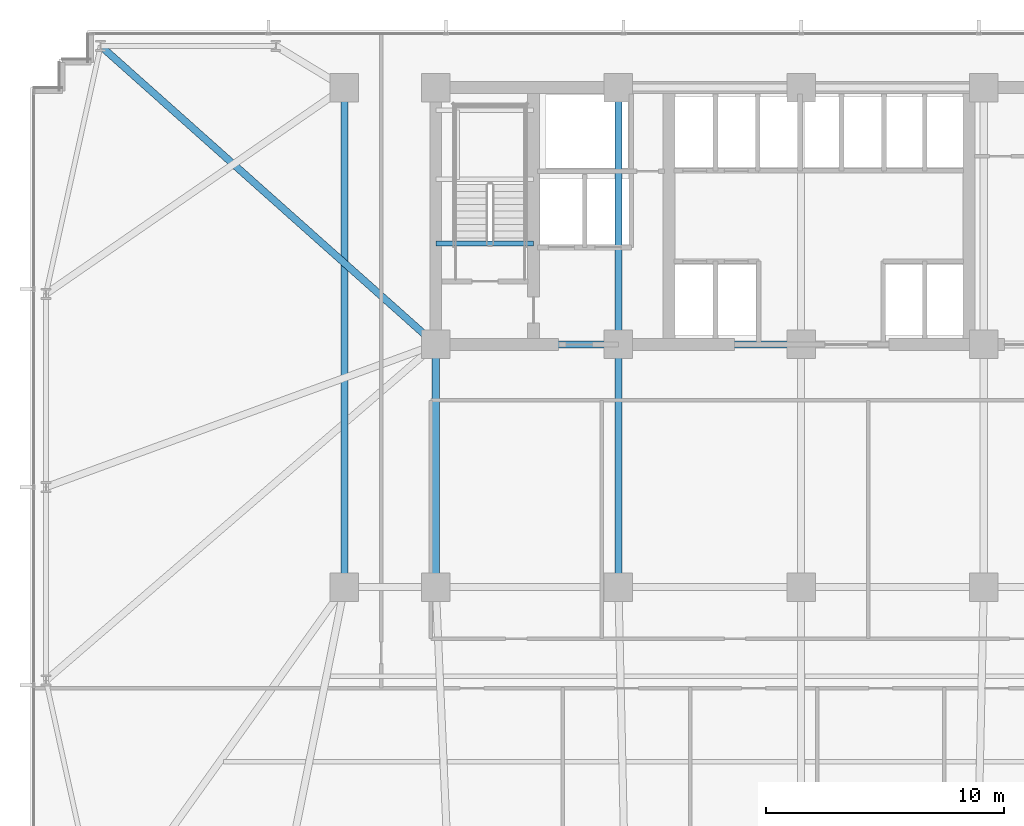
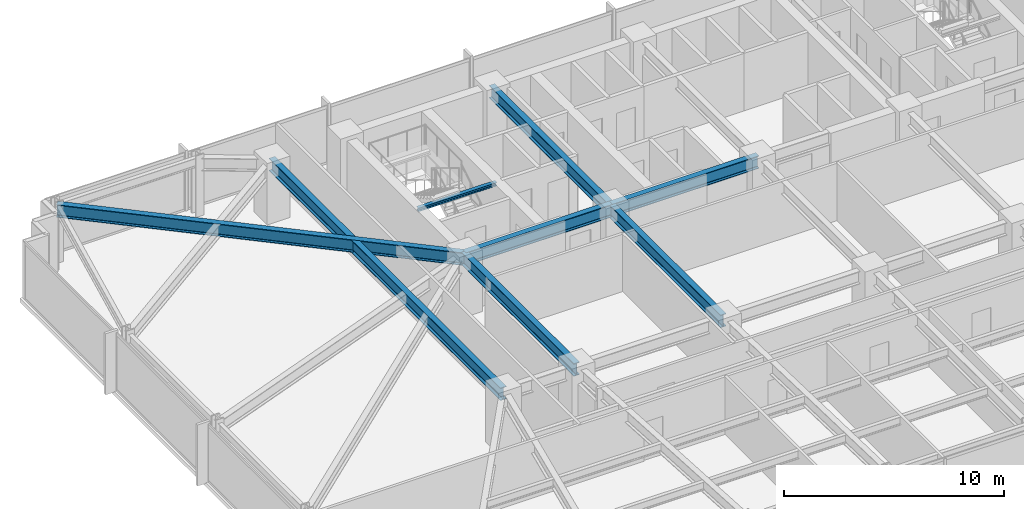
# One storey, part 10 of 32: 8 beams.
"""IFC4 building model written with IfcOpenShell, lengths in metres."""

from ifc_helpers import new_model, si_unit, direction, frame, origin, origin_2d, place, context, subcontext, project, spatial, i_section, extrude, material, material_profile, profile_set, type_object, element, save


model = new_model("IFC4")

# Units and contexts
model_context = context("Model", 3, precision=1e-05, world=origin(), true_north=direction((0.0, 1.0)))
body_context = subcontext(model_context, "Body", "Model", "MODEL_VIEW")
ifc_project = project(units=[si_unit("LENGTHUNIT", "METRE"), si_unit("AREAUNIT", "SQUARE_METRE"), si_unit("VOLUMEUNIT", "CUBIC_METRE"), si_unit("PLANEANGLEUNIT", "RADIAN"), si_unit("MASSUNIT", "GRAM", prefix="KILO")], contexts=[model_context])

# Site, building, storey
site_placement = place(None, origin())
site = spatial("IfcSite", under=ifc_project, at=site_placement, CompositionType="ELEMENT")
building_placement = place(site_placement, origin())
building = spatial("IfcBuilding", under=site, at=building_placement, Name="Yelkora Congress Tower", CompositionType="ELEMENT")
storey_placement = place(building_placement, frame((0.0, 0.0, 40.60009765625)))
storey = spatial("IfcBuildingStorey", under=building, at=storey_placement, Name="L09", CompositionType="ELEMENT", Elevation=40.60009765625)

# Beams
ifc_material = material(Name="Steel S355J2", Category="steel")
ifc_material_profile_1 = material_profile(ifc_material, i_section(OverallWidth=0.300048828125, OverallDepth=0.699951171875, WebThickness=0.01708984375, FlangeThickness=0.031982421875, FilletRadius=0.027099609375, at=origin_2d()), Name="HEB 700")
ifc_profile_set_1 = profile_set([ifc_material_profile_1], Name="Steel S355J2")
beam_type_1 = type_object("IfcBeamType", Name="BM-GIRD-HEB700", PredefinedType="BEAM", material=ifc_profile_set_1)
for number, where, z_axis, x_axis, name in (
    (1, (23.0400390625, 35.39990234375, 2.829833984375), (1.0, 0.0, 0.0), (0.0, 1.0, 0.0), "L09 Core South Girder 1"),
    (2, (30.719970703125, 35.39990234375, 2.829833984375), (1.0, 0.0, 0.0), (0.0, 1.0, 0.0), "L09 Core South Girder 2"),
):
    element("IfcBeam", number, at=place(storey_placement, frame(where, z_axis=z_axis, x_axis=x_axis)), inside=storey, type_object=beam_type_1, Name=name, PredefinedType="BEAM", context=body_context, shape_type="SweptSolid", body=[
        extrude(i_section(OverallWidth=0.300048828125, OverallDepth=0.699951171875, WebThickness=0.01708984375, FlangeThickness=0.031982421875, FilletRadius=0.027099609375, at=origin_2d()), origin(), (0.0, 0.0, 1.0), 7.679931640625),
    ])
for number, where, z_axis, x_axis, name in (
    (3, (23.0400390625, 25.199951171875, 2.829833984375), (0.0, 1.0, 0.0), (-1.0, 0.0, 0.0), "L09 Core Tie Girder MC-D1"),
    (4, (30.719970703125, 25.199951171875, 2.829833984375), (0.0, 1.0, 0.0), (-1.0, 0.0, 0.0), "L09 Core Tie Girder MC-D2"),
):
    element("IfcBeam", number, at=place(storey_placement, frame(where, z_axis=z_axis, x_axis=x_axis)), inside=storey, type_object=beam_type_1, Name=name, PredefinedType="BEAM", context=body_context, shape_type="SweptSolid", body=[
        extrude(i_section(OverallWidth=0.300048828125, OverallDepth=0.699951171875, WebThickness=0.01708984375, FlangeThickness=0.031982421875, FilletRadius=0.027099609375, at=origin_2d()), origin(), (0.0, 0.0, 1.0), 10.199951171875),
    ])
beam_1_placement = place(storey_placement, frame((30.719970703125, 35.39990234375, 2.829833984375), z_axis=(0.0, 1.0, 0.0), x_axis=(-1.0, 0.0, 0.0)))
element("IfcBeam", 5, at=beam_1_placement, inside=storey, type_object=beam_type_1, Name="L09 Core Tie Girder MC-S2", PredefinedType="BEAM", context=body_context, shape_type="SweptSolid", body=[
    extrude(i_section(OverallWidth=0.300048828125, OverallDepth=0.699951171875, WebThickness=0.01708984375, FlangeThickness=0.031982421875, FilletRadius=0.027099609375, at=origin_2d()), origin(), (0.0, 0.0, 1.0), 10.800048828125),
])
beam_2_placement = place(storey_placement, frame((19.199951171875, 25.199951171875, 2.829833984375), z_axis=(0.0, 1.0, 0.0), x_axis=(-1.0, 0.0, 0.0)))
element("IfcBeam", 6, at=beam_2_placement, inside=storey, type_object=beam_type_1, Name="L09 Neck Flank Girder MC-F1", PredefinedType="BEAM", context=body_context, shape_type="SweptSolid", body=[
    extrude(i_section(OverallWidth=0.300048828125, OverallDepth=0.699951171875, WebThickness=0.01708984375, FlangeThickness=0.031982421875, FilletRadius=0.027099609375, at=origin_2d()), origin(), (0.0, 0.0, 1.0), 21.0),
])
beam_3_placement = place(storey_placement, frame((8.949951171875, 47.949951171875, 2.829833984375), z_axis=(0.746737189621, -0.665119214605, 0.0), x_axis=(0.665119214605, 0.746737189621, 0.0)))
element("IfcBeam", 7, at=beam_3_placement, inside=storey, type_object=beam_type_1, Name="L09 Primary Frame Girder N01", PredefinedType="BEAM", context=body_context, shape_type="SweptSolid", body=[
    extrude(i_section(OverallWidth=0.300048828125, OverallDepth=0.699951171875, WebThickness=0.01708984375, FlangeThickness=0.031982421875, FilletRadius=0.027099609375, at=origin_2d()), origin(), (0.0, 0.0, 1.0), 18.868896484375),
])
ifc_material_profile_2 = material_profile(ifc_material, i_section(OverallWidth=0.199951171875, OverallDepth=0.18994140625, WebThickness=0.006591796875, FlangeThickness=0.010009765625, FilletRadius=0.01806640625, at=origin_2d()), Name="HEA 200")
ifc_profile_set_2 = profile_set([ifc_material_profile_2], Name="Steel S355J2")
beam_type_2 = type_object("IfcBeamType", Name="BM-LAND-HEA200", PredefinedType="BEAM", material=ifc_profile_set_2)
beam_4_placement = place(storey_placement, frame((23.0400390625, 39.639892578125, 2.947265625), z_axis=(1.0, 0.0, 0.0), x_axis=(0.0, 1.0, 0.0)))
element("IfcBeam", 8, at=beam_4_placement, inside=storey, type_object=beam_type_2, Name="ST-01 L09 Floor Arrival Stringer Header Beam", PredefinedType="BEAM", context=body_context, shape_type="SweptSolid", body=[
    extrude(i_section(OverallWidth=0.199951171875, OverallDepth=0.18994140625, WebThickness=0.006591796875, FlangeThickness=0.010009765625, FilletRadius=0.01806640625, at=origin_2d()), origin(), (0.0, 0.0, 1.0), 4.10986328125),
])

save(model, "model.ifc")
